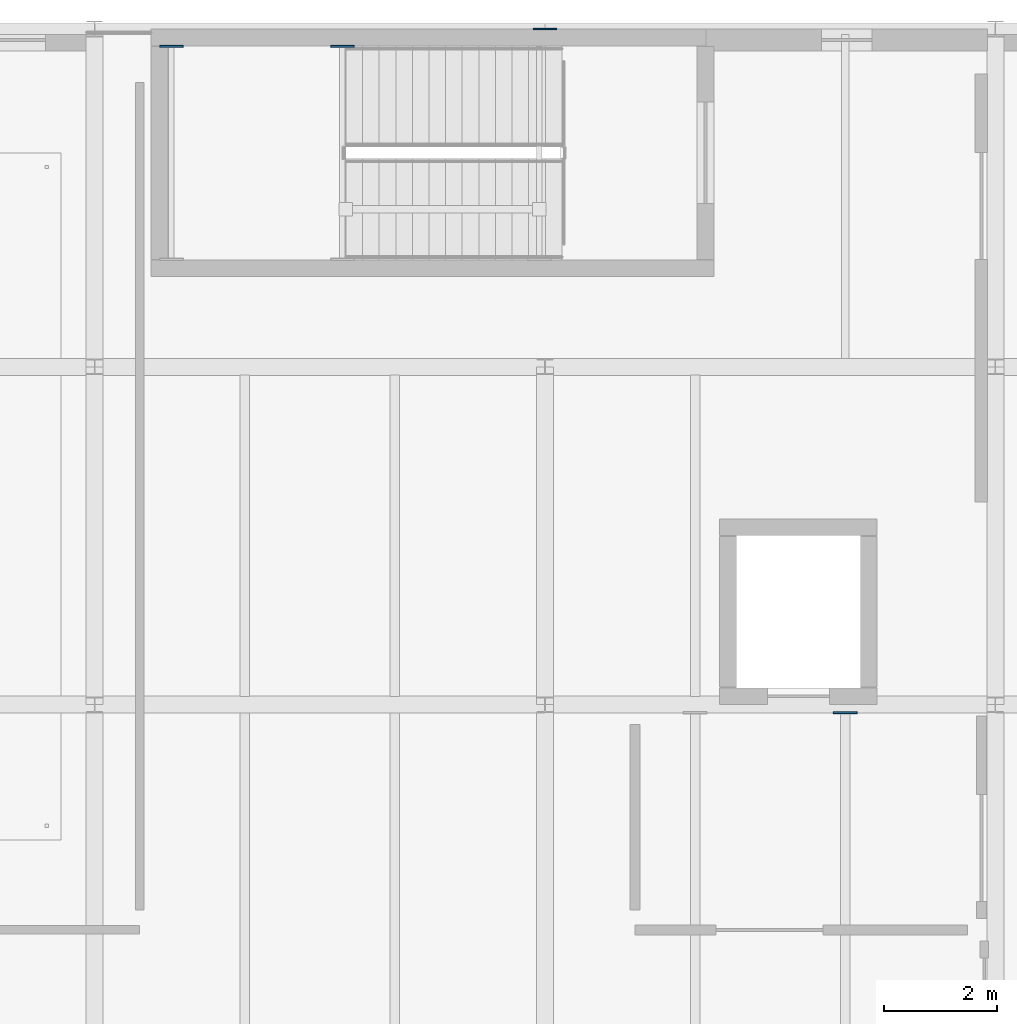
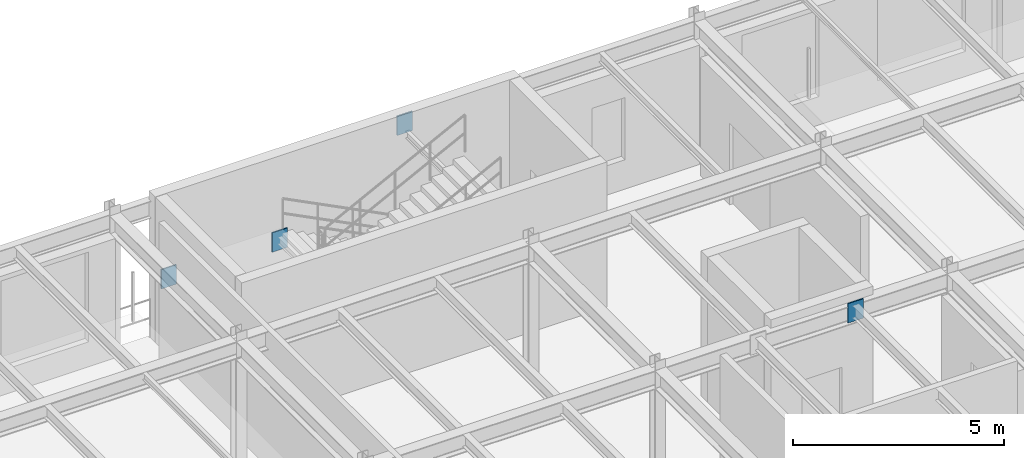
# One storey, part 77 of 122: 4 plates.
"""IFC4 building model written with IfcOpenShell, lengths in metres."""

from ifc_helpers import new_model, si_unit, direction, frame, origin, origin_2d, place, context, subcontext, project, spatial, rectangle, extrude, material, layer, layer_set, type_object, element, save


model = new_model("IFC4")

# Units and contexts
model_context = context("Model", 3, precision=1e-05, world=origin(), true_north=direction((0.0, 1.0)))
body_context = subcontext(model_context, "Body", "Model", "MODEL_VIEW")
ifc_project = project(units=[si_unit("LENGTHUNIT", "METRE"), si_unit("AREAUNIT", "SQUARE_METRE"), si_unit("VOLUMEUNIT", "CUBIC_METRE"), si_unit("PLANEANGLEUNIT", "RADIAN"), si_unit("MASSUNIT", "GRAM", prefix="KILO")], contexts=[model_context])

# Site, building, storey
site_placement = place(None, origin())
site = spatial("IfcSite", under=ifc_project, at=site_placement, CompositionType="ELEMENT")
building_placement = place(site_placement, origin())
building = spatial("IfcBuilding", under=site, at=building_placement, Name="Sundkrona Museum", CompositionType="ELEMENT")
storey_placement = place(building_placement, frame((0.0, 0.0, 5.39990234375)))
storey = spatial("IfcBuildingStorey", under=building, at=storey_placement, Name="L01", CompositionType="ELEMENT", Elevation=5.39990234375)

# Plates
ifc_material = material(Name="Steel S355J2", Category="steel")
ifc_layer = layer(ifc_material, 0.034912109375)
ifc_layer_set = layer_set([ifc_layer], Name="Steel S355J2")
plate_type = type_object("IfcPlateType", Name="EP-1", PredefinedType="USERDEFINED", material=ifc_layer_set)
for number, where, z_axis, x_axis, name in (
    (1, (48.0, 114.0, 3.43017578125), (0.0, 0.0, 1.0), (1.0, 0.0, 0.0), "Core Wall Cast-In Embed Plate BM-L01-X-0950-2"),
    (2, (53.333251953125, 101.85595703125, 3.5), (0.0, 0.0, 1.0), (1.0, 0.0, 0.0), "Core Wall Cast-In Embed Plate JS-L01-0608-2"),
    (3, (41.36328125, 113.68994140625, 1.5), (0.0, 0.0, 1.0), (1.0, 0.0, 0.0), "Core Wall Cast-In Embed Plate BM-STLD-ST-3-L01-1A-2"),
    (4, (44.401611328125, 113.68994140625, 1.5), (0.0, 0.0, 1.0), (1.0, 0.0, 0.0), "Core Wall Cast-In Embed Plate BM-STLD-ST-3-L01-1B-2"),
):
    element("IfcPlate", number, at=place(storey_placement, frame(where, z_axis=z_axis, x_axis=x_axis)), inside=storey, type_object=plate_type, Name=name, ObjectType="GUSSET PLATE", PredefinedType="USERDEFINED", context=body_context, shape_type="SweptSolid", body=[
        extrude(rectangle(XDim=0.419921875, YDim=0.034912109375, at=origin_2d()), origin(), (0.0, 0.0, 1.0), 0.56005859375),
    ])

save(model, "model.ifc")
